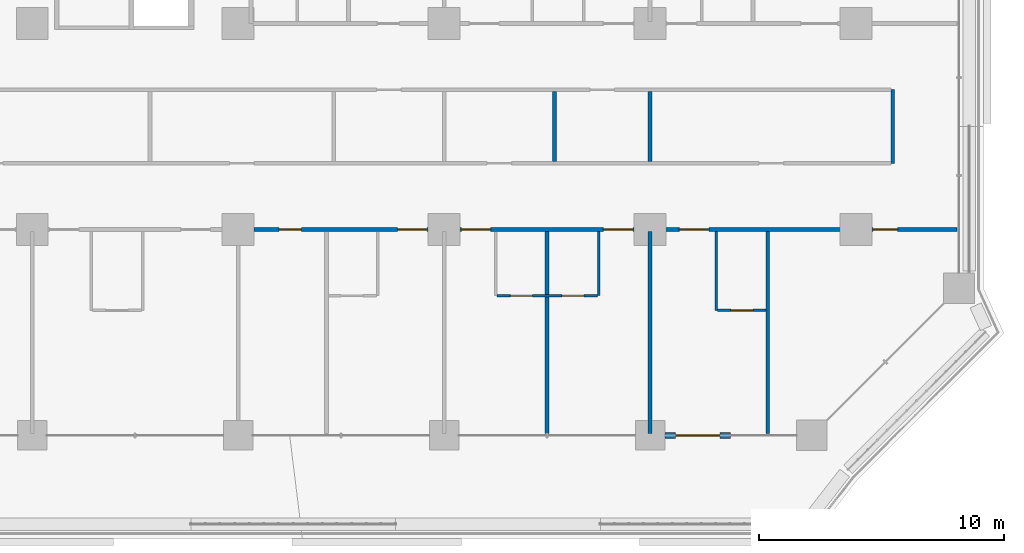
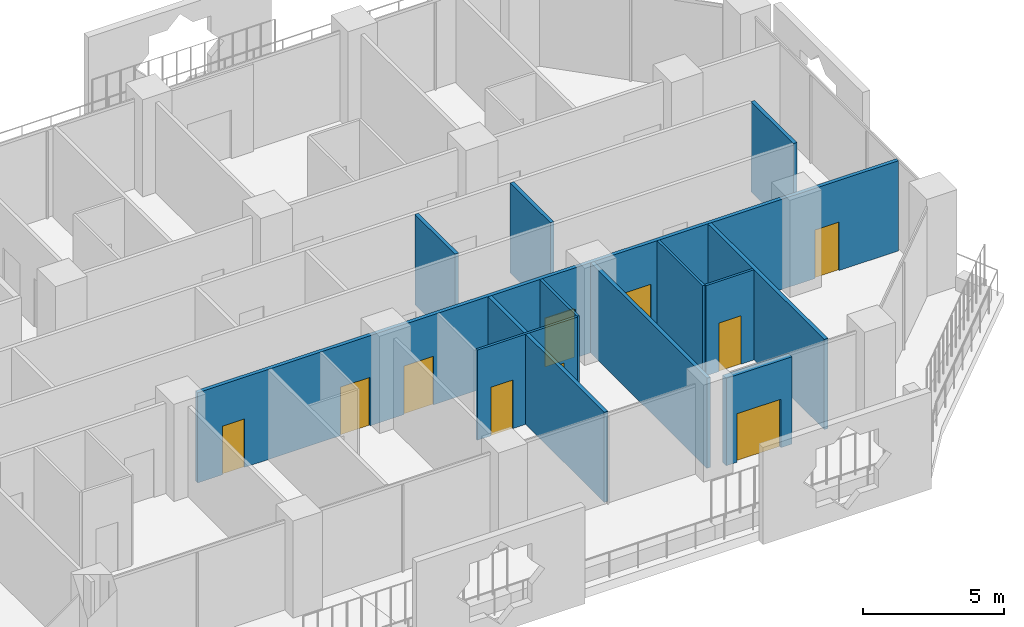
# One storey, part 17 of 29: 12 walls, 10 doors, 10 openings.
"""IFC4 building model written with IfcOpenShell, lengths in metres."""

from ifc_helpers import new_model, si_unit, direction, frame, frame_2d, origin, place, context, subcontext, project, spatial, rectangle, extrude, material, layer, layer_set, type_object, element, fill, save


model = new_model("IFC4")

# Units and contexts
model_context = context("Model", 3, precision=1e-05, world=origin(), true_north=direction((0.0, 1.0)))
body_context = subcontext(model_context, "Body", "Model", "MODEL_VIEW")
ifc_project = project(units=[si_unit("LENGTHUNIT", "METRE"), si_unit("AREAUNIT", "SQUARE_METRE"), si_unit("VOLUMEUNIT", "CUBIC_METRE"), si_unit("PLANEANGLEUNIT", "RADIAN"), si_unit("MASSUNIT", "GRAM", prefix="KILO")], contexts=[model_context])

# Site, building, storey
site_placement = place(None, origin())
site = spatial("IfcSite", under=ifc_project, at=site_placement, CompositionType="ELEMENT")
building_placement = place(site_placement, origin())
building = spatial("IfcBuilding", under=site, at=building_placement, Name="Kawkab Arch Medical Tower", CompositionType="ELEMENT")
storey_placement = place(building_placement, frame((0.0, 0.0, 64.39990234375)))
storey = spatial("IfcBuildingStorey", under=building, at=storey_placement, Name="L14", CompositionType="ELEMENT", Elevation=64.39990234375)

# Wall, opening, door
ifc_material_1 = material(Name="Bronze clad insulated wall panel")
ifc_layer_1 = layer(ifc_material_1, 0.25)
ifc_layer_set_1 = layer_set([ifc_layer_1], Name="Bronze clad insulated wall panel")
wall_type_1 = type_object("IfcWallType", Name="External wall bay 250", PredefinedType="SOLIDWALL", material=ifc_layer_set_1)
wall_1_placement = place(storey_placement, frame((67.800048828125, -25.199951171875, 0.0), z_axis=(0.0, 0.0, 1.0), x_axis=(1.0, 0.0, 0.0)))
wall_1 = element("IfcWall", 1, at=wall_1_placement, inside=storey, type_object=wall_type_1, Name="External wall bay L14.R07.5.1", PredefinedType="SOLIDWALL", context=body_context, shape_type="SweptSolid", body=[
    extrude(rectangle(XDim=2.6875, YDim=0.25, at=frame_2d((1.34375, 0.0))), origin(), (0.0, 0.0, 1.0), 3.780029296875),
])
opening_1_placement = place(wall_1_placement, frame((0.443603515625, 0.0, 0.0)))
opening_1 = element("IfcOpeningElement", 2, at=opening_1_placement, cuts=wall_1, Name="Opening W14-702", PredefinedType="OPENING", context=body_context, shape_type="SweptSolid", body=[
    extrude(rectangle(XDim=1.800048828125, YDim=2.10009765625, at=frame_2d((0.89990234375, 1.050048828125))), frame((0.0, 0.135009765625, 0.0), z_axis=(0.0, -1.0, 0.0), x_axis=(1.0, 0.0, 0.0)), (0.0, 0.0, 1.0), 0.27001953125),
])
ifc_material_2 = material(Name="Bronze anodised aluminium door with tinted glass", Category="aluminium")
door_type_1 = type_object("IfcDoorType", Name="Double external door 1800 x 2100", OperationType="DOUBLE_DOOR_SINGLE_SWING", PredefinedType="DOOR", material=ifc_material_2)
door_1_placement = place(opening_1_placement, origin())
door_1 = element("IfcDoor", 3, at=door_1_placement, inside=storey, type_object=door_type_1, Name="External door L14.R07.5.1", OperationType="DOUBLE_DOOR_SINGLE_SWING", OverallHeight=2.10009765625, OverallWidth=1.800048828125, PredefinedType="DOOR", context=body_context, shape_type="SweptSolid", body=[
    extrude(rectangle(XDim=1.800048828125, YDim=2.10009765625, at=frame_2d((0.89990234375, 1.050048828125))), frame((0.0, 0.02490234375, 0.0), z_axis=(0.0, -1.0, 0.0), x_axis=(1.0, 0.0, 0.0)), (0.0, 0.0, 1.0), 0.050048828125),
])
fill(opening_1, door_1)

ifc_material_3 = material(Name="Gypsum board partition on steel studs", Category="steel")
ifc_layer_2 = layer(ifc_material_3, 0.10009765625)
ifc_layer_set_2 = layer_set([ifc_layer_2], Name="Gypsum board partition on steel studs")
wall_type_2 = type_object("IfcWallType", Name="Partition 100", PredefinedType="PARTITIONING", material=ifc_layer_set_2)
wall_2_placement = place(storey_placement, frame((69.949951171875, -20.10009765625, 0.0), z_axis=(0.0, 0.0, 1.0), x_axis=(1.0, 0.0, 0.0)))
wall_2 = element("IfcWall", 4, at=wall_2_placement, inside=storey, type_object=wall_type_2, Name="Partition 100 w011", PredefinedType="PARTITIONING", context=body_context, shape_type="SweptSolid", body=[
    extrude(rectangle(XDim=1.97509765625, YDim=0.10009765625, at=frame_2d((0.987548828125, 0.0))), origin(), (0.0, 0.0, 1.0), 3.900146484375),
])
opening_2_placement = place(wall_2_placement, frame((0.550048828125, 0.0, 0.0)))
opening_2 = element("IfcOpeningElement", 5, at=opening_2_placement, cuts=wall_2, Name="Opening W14-018", PredefinedType="OPENING", context=body_context, shape_type="SweptSolid", body=[
    extrude(rectangle(XDim=0.89990234375, YDim=2.10009765625, at=frame_2d((0.449951171875, 1.050048828125))), frame((0.0, 0.06005859375, 0.0), z_axis=(0.0, -1.0, 0.0), x_axis=(1.0, 0.0, 0.0)), (0.0, 0.0, 1.0), 0.1201171875),
])
ifc_material_4 = material(Name="Timber door leaf", Category="wood")
door_type_2 = type_object("IfcDoorType", Name="Single door 900x2100", OperationType="NOTDEFINED", PredefinedType="DOOR", material=ifc_material_4)
door_2_placement = place(opening_2_placement, origin())
door_2 = element("IfcDoor", 6, at=door_2_placement, inside=storey, type_object=door_type_2, Name="Door W14-018", OperationType="SINGLE_SWING_RIGHT", OverallHeight=2.10009765625, OverallWidth=0.89990234375, PredefinedType="DOOR", context=body_context, shape_type="SweptSolid", body=[
    extrude(rectangle(XDim=0.89990234375, YDim=2.10009765625, at=frame_2d((0.449951171875, 1.050048828125))), frame((0.0, 0.02490234375, 0.0), z_axis=(0.0, -1.0, 0.0), x_axis=(1.0, 0.0, 0.0)), (0.0, 0.0, 1.0), 0.050048828125),
])
fill(opening_2, door_2)

# Wall, openings, doors
wall_3_placement = place(storey_placement, frame((60.949951171875, -19.5, 0.0), z_axis=(0.0, 0.0, 1.0), x_axis=(1.0, 0.0, 0.0)))
wall_3 = element("IfcWall", 7, at=wall_3_placement, inside=storey, type_object=wall_type_2, Name="Partition 100 w014", PredefinedType="PARTITIONING", context=body_context, shape_type="SweptSolid", body=[
    extrude(rectangle(XDim=4.10009765625, YDim=0.10009765625, at=frame_2d((2.050048828125, 0.0))), origin(), (0.0, 0.0, 1.0), 3.900146484375),
])
opening_3_placement = place(wall_3_placement, frame((0.550048828125, 0.0, 0.0)))
opening_3 = element("IfcOpeningElement", 8, at=opening_3_placement, cuts=wall_3, Name="Opening W14-016", PredefinedType="OPENING", context=body_context, shape_type="SweptSolid", body=[
    extrude(rectangle(XDim=0.89990234375, YDim=2.10009765625, at=frame_2d((0.449951171875, 1.050048828125))), frame((0.0, 0.06005859375, 0.0), z_axis=(0.0, -1.0, 0.0), x_axis=(1.0, 0.0, 0.0)), (0.0, 0.0, 1.0), 0.1201171875),
])
opening_4_placement = place(wall_3_placement, frame((2.64990234375, 0.0, 0.0)))
opening_4 = element("IfcOpeningElement", 9, at=opening_4_placement, cuts=wall_3, Name="Opening W14-017", PredefinedType="OPENING", context=body_context, shape_type="SweptSolid", body=[
    extrude(rectangle(XDim=0.89990234375, YDim=2.10009765625, at=frame_2d((0.449951171875, 1.050048828125))), frame((0.0, 0.06005859375, 0.0), z_axis=(0.0, -1.0, 0.0), x_axis=(1.0, 0.0, 0.0)), (0.0, 0.0, 1.0), 0.1201171875),
])
door_3_placement = place(opening_3_placement, origin())
door_3 = element("IfcDoor", 10, at=door_3_placement, inside=storey, type_object=door_type_2, Name="Door W14-016", OperationType="SINGLE_SWING_RIGHT", OverallHeight=2.10009765625, OverallWidth=0.89990234375, PredefinedType="DOOR", context=body_context, shape_type="SweptSolid", body=[
    extrude(rectangle(XDim=0.89990234375, YDim=2.10009765625, at=frame_2d((0.449951171875, 1.050048828125))), frame((0.0, 0.02490234375, 0.0), z_axis=(0.0, -1.0, 0.0), x_axis=(1.0, 0.0, 0.0)), (0.0, 0.0, 1.0), 0.050048828125),
])
fill(opening_3, door_3)
door_4_placement = place(opening_4_placement, origin())
door_4 = element("IfcDoor", 11, at=door_4_placement, inside=storey, type_object=door_type_2, Name="Door W14-017", OperationType="SINGLE_SWING_LEFT", OverallHeight=2.10009765625, OverallWidth=0.89990234375, PredefinedType="DOOR", context=body_context, shape_type="SweptSolid", body=[
    extrude(rectangle(XDim=0.89990234375, YDim=2.10009765625, at=frame_2d((0.449951171875, 1.050048828125))), frame((0.0, 0.02490234375, 0.0), z_axis=(0.0, -1.0, 0.0), x_axis=(1.0, 0.0, 0.0)), (0.0, 0.0, 1.0), 0.050048828125),
])
fill(opening_4, door_4)

# Walls
wall_4_placement = place(storey_placement, frame((65.10009765625, -19.5, 0.0), z_axis=(0.0, 0.0, 1.0), x_axis=(0.0, 1.0, 0.0)))
element("IfcWall", 12, at=wall_4_placement, inside=storey, type_object=wall_type_2, Name="Partition 100 w037", PredefinedType="PARTITIONING", context=body_context, shape_type="SweptSolid", body=[
    extrude(rectangle(XDim=2.625, YDim=0.10009765625, at=frame_2d((1.3125, 0.0))), origin(), (0.0, 0.0, 1.0), 3.900146484375),
])
wall_5_placement = place(storey_placement, frame((69.89990234375, -20.10009765625, 0.0), z_axis=(0.0, 0.0, 1.0), x_axis=(0.0, 1.0, 0.0)))
element("IfcWall", 13, at=wall_5_placement, inside=storey, type_object=wall_type_2, Name="Partition 100 w039", PredefinedType="PARTITIONING", context=body_context, shape_type="SweptSolid", body=[
    extrude(rectangle(XDim=3.22509765625, YDim=0.10009765625, at=frame_2d((1.612548828125, 0.0))), origin(), (0.0, 0.0, 1.0), 3.900146484375),
])

# Wall, openings, doors
ifc_material_5 = material(Name="Gypsum board partition on steel studs, mineral wool", Category="steel")
ifc_layer_3 = layer(ifc_material_5, 0.14990234375)
ifc_layer_set_3 = layer_set([ifc_layer_3], Name="Gypsum board partition on steel studs, mineral wool")
wall_type_3 = type_object("IfcWallType", Name="Partition 150", PredefinedType="PARTITIONING", material=ifc_layer_set_3)
wall_6_placement = place(storey_placement, frame((51.050048828125, -16.800048828125, 0.0), z_axis=(0.0, 0.0, 1.0), x_axis=(1.0, 0.0, 0.0)))
wall_6 = element("IfcWall", 14, at=wall_6_placement, inside=storey, type_object=wall_type_3, Name="Partition 150 w063", PredefinedType="PARTITIONING", context=body_context, shape_type="SweptSolid", body=[
    extrude(rectangle(XDim=28.669921875, YDim=0.14990234375, at=frame_2d((14.3349609375, 0.0))), origin(), (0.0, 0.0, 1.0), 3.900146484375),
])
opening_5_placement = place(wall_6_placement, frame((1.02490234375, 0.0, 0.0)))
opening_5 = element("IfcOpeningElement", 15, at=opening_5_placement, cuts=wall_6, Name="Opening W14-014", PredefinedType="OPENING", context=body_context, shape_type="SweptSolid", body=[
    extrude(rectangle(XDim=0.89990234375, YDim=2.10009765625, at=frame_2d((0.449951171875, 1.050048828125))), frame((0.0, 0.0849609375, 0.0), z_axis=(0.0, -1.0, 0.0), x_axis=(1.0, 0.0, 0.0)), (0.0, 0.0, 1.0), 0.169921875),
])
opening_6_placement = place(wall_6_placement, frame((5.85009765625, 0.0, 0.0)))
opening_6 = element("IfcOpeningElement", 16, at=opening_6_placement, cuts=wall_6, Name="Opening W14-061", PredefinedType="OPENING", context=body_context, shape_type="SweptSolid", body=[
    extrude(rectangle(XDim=1.199951171875, YDim=2.10009765625, at=frame_2d((0.60009765625, 1.050048828125))), frame((0.0, 0.0849609375, 0.0), z_axis=(0.0, -1.0, 0.0), x_axis=(1.0, 0.0, 0.0)), (0.0, 0.0, 1.0), 0.169921875),
])
opening_7_placement = place(wall_6_placement, frame((8.449951171875, 0.0, 0.0)))
opening_7 = element("IfcOpeningElement", 17, at=opening_7_placement, cuts=wall_6, Name="Opening W14-062", PredefinedType="OPENING", context=body_context, shape_type="SweptSolid", body=[
    extrude(rectangle(XDim=1.199951171875, YDim=2.10009765625, at=frame_2d((0.60009765625, 1.050048828125))), frame((0.0, 0.0849609375, 0.0), z_axis=(0.0, -1.0, 0.0), x_axis=(1.0, 0.0, 0.0)), (0.0, 0.0, 1.0), 0.169921875),
])
opening_8_placement = place(wall_6_placement, frame((14.25, 0.0, 0.0)))
opening_8 = element("IfcOpeningElement", 18, at=opening_8_placement, cuts=wall_6, Name="Opening W14-063", PredefinedType="OPENING", context=body_context, shape_type="SweptSolid", body=[
    extrude(rectangle(XDim=1.199951171875, YDim=2.10009765625, at=frame_2d((0.60009765625, 1.050048828125))), frame((0.0, 0.0849609375, 0.0), z_axis=(0.0, -1.0, 0.0), x_axis=(1.0, 0.0, 0.0)), (0.0, 0.0, 1.0), 0.169921875),
])
opening_9_placement = place(wall_6_placement, frame((17.35009765625, 0.0, 0.0)))
opening_9 = element("IfcOpeningElement", 19, at=opening_9_placement, cuts=wall_6, Name="Opening W14-064", PredefinedType="OPENING", context=body_context, shape_type="SweptSolid", body=[
    extrude(rectangle(XDim=1.199951171875, YDim=2.10009765625, at=frame_2d((0.60009765625, 1.050048828125))), frame((0.0, 0.0849609375, 0.0), z_axis=(0.0, -1.0, 0.0), x_axis=(1.0, 0.0, 0.0)), (0.0, 0.0, 1.0), 0.169921875),
])
opening_10_placement = place(wall_6_placement, frame((25.25, 0.0, 0.0)))
opening_10 = element("IfcOpeningElement", 20, at=opening_10_placement, cuts=wall_6, Name="Opening W14-039", PredefinedType="OPENING", context=body_context, shape_type="SweptSolid", body=[
    extrude(rectangle(XDim=1.0, YDim=2.10009765625, at=frame_2d((0.5, 1.050048828125))), frame((0.0, 0.0849609375, 0.0), z_axis=(0.0, -1.0, 0.0), x_axis=(1.0, 0.0, 0.0)), (0.0, 0.0, 1.0), 0.169921875),
])
ifc_material_6 = material(Name="Hollow metal door leaf")
door_type_3 = type_object("IfcDoorType", Name="Single door 1000x2100 FD30S", OperationType="NOTDEFINED", PredefinedType="DOOR", material=ifc_material_6)
door_5_placement = place(opening_10_placement, origin())
door_5 = element("IfcDoor", 21, at=door_5_placement, inside=storey, type_object=door_type_3, Name="Door W14-039", OperationType="SINGLE_SWING_LEFT", OverallHeight=2.10009765625, OverallWidth=1.0, PredefinedType="DOOR", context=body_context, shape_type="SweptSolid", body=[
    extrude(rectangle(XDim=1.0, YDim=2.10009765625, at=frame_2d((0.5, 1.050048828125))), frame((0.0, 0.02490234375, 0.0), z_axis=(0.0, -1.0, 0.0), x_axis=(1.0, 0.0, 0.0)), (0.0, 0.0, 1.0), 0.050048828125),
])
fill(opening_10, door_5)
ifc_material_7 = material(Name="Hollow metal door leaf")
door_type_4 = type_object("IfcDoorType", Name="Single door 1200x2100 FD30S", OperationType="NOTDEFINED", PredefinedType="DOOR", material=ifc_material_7)
door_6_placement = place(opening_6_placement, origin())
door_6 = element("IfcDoor", 22, at=door_6_placement, inside=storey, type_object=door_type_4, Name="Door W14-061", OperationType="SINGLE_SWING_RIGHT", OverallHeight=2.10009765625, OverallWidth=1.199951171875, PredefinedType="DOOR", context=body_context, shape_type="SweptSolid", body=[
    extrude(rectangle(XDim=1.199951171875, YDim=2.10009765625, at=frame_2d((0.60009765625, 1.050048828125))), frame((0.0, 0.02490234375, 0.0), z_axis=(0.0, -1.0, 0.0), x_axis=(1.0, 0.0, 0.0)), (0.0, 0.0, 1.0), 0.050048828125),
])
fill(opening_6, door_6)
door_7_placement = place(opening_7_placement, origin())
door_7 = element("IfcDoor", 23, at=door_7_placement, inside=storey, type_object=door_type_4, Name="Door W14-062", OperationType="SINGLE_SWING_RIGHT", OverallHeight=2.10009765625, OverallWidth=1.199951171875, PredefinedType="DOOR", context=body_context, shape_type="SweptSolid", body=[
    extrude(rectangle(XDim=1.199951171875, YDim=2.10009765625, at=frame_2d((0.60009765625, 1.050048828125))), frame((0.0, 0.02490234375, 0.0), z_axis=(0.0, -1.0, 0.0), x_axis=(1.0, 0.0, 0.0)), (0.0, 0.0, 1.0), 0.050048828125),
])
fill(opening_7, door_7)
door_8_placement = place(opening_8_placement, origin())
door_8 = element("IfcDoor", 24, at=door_8_placement, inside=storey, type_object=door_type_4, Name="Door W14-063", OperationType="SINGLE_SWING_LEFT", OverallHeight=2.10009765625, OverallWidth=1.199951171875, PredefinedType="DOOR", context=body_context, shape_type="SweptSolid", body=[
    extrude(rectangle(XDim=1.199951171875, YDim=2.10009765625, at=frame_2d((0.60009765625, 1.050048828125))), frame((0.0, 0.02490234375, 0.0), z_axis=(0.0, -1.0, 0.0), x_axis=(1.0, 0.0, 0.0)), (0.0, 0.0, 1.0), 0.050048828125),
])
fill(opening_8, door_8)
door_9_placement = place(opening_9_placement, origin())
door_9 = element("IfcDoor", 25, at=door_9_placement, inside=storey, type_object=door_type_4, Name="Door W14-064", OperationType="SINGLE_SWING_LEFT", OverallHeight=2.10009765625, OverallWidth=1.199951171875, PredefinedType="DOOR", context=body_context, shape_type="SweptSolid", body=[
    extrude(rectangle(XDim=1.199951171875, YDim=2.10009765625, at=frame_2d((0.60009765625, 1.050048828125))), frame((0.0, 0.02490234375, 0.0), z_axis=(0.0, -1.0, 0.0), x_axis=(1.0, 0.0, 0.0)), (0.0, 0.0, 1.0), 0.050048828125),
])
fill(opening_9, door_9)
door_10_placement = place(opening_5_placement, origin())
door_10 = element("IfcDoor", 26, at=door_10_placement, inside=storey, type_object=door_type_2, Name="Door W14-014", OperationType="SINGLE_SWING_RIGHT", OverallHeight=2.10009765625, OverallWidth=0.89990234375, PredefinedType="DOOR", context=body_context, shape_type="SweptSolid", body=[
    extrude(rectangle(XDim=0.89990234375, YDim=2.10009765625, at=frame_2d((0.449951171875, 1.050048828125))), frame((0.0, 0.02490234375, 0.0), z_axis=(0.0, -1.0, 0.0), x_axis=(1.0, 0.0, 0.0)), (0.0, 0.0, 1.0), 0.050048828125),
])
fill(opening_5, door_10)

# Walls
wall_7_placement = place(storey_placement, frame((63.0, -25.1201171875, 0.0), z_axis=(0.0, 0.0, 1.0), x_axis=(0.0, 1.0, 0.0)))
element("IfcWall", 27, at=wall_7_placement, inside=storey, type_object=wall_type_3, Name="Partition 150 w102", PredefinedType="PARTITIONING", context=body_context, shape_type="SweptSolid", body=[
    extrude(rectangle(XDim=8.2451171875, YDim=0.14990234375, at=frame_2d((4.12255859375, 0.0))), origin(), (0.0, 0.0, 1.0), 3.900146484375),
])
wall_8_placement = place(storey_placement, frame((63.300048828125, -14.02490234375, 0.0), z_axis=(0.0, 0.0, 1.0), x_axis=(0.0, 1.0, 0.0)))
element("IfcWall", 28, at=wall_8_placement, inside=storey, type_object=wall_type_3, Name="Partition 150 w103", PredefinedType="PARTITIONING", context=body_context, shape_type="SweptSolid", body=[
    extrude(rectangle(XDim=2.849853515625, YDim=0.14990234375, at=frame_2d((1.4248046875, 0.0))), origin(), (0.0, 0.0, 1.0), 3.900146484375),
])
wall_9_placement = place(storey_placement, frame((67.199951171875, -25.1201171875, 0.0), z_axis=(0.0, 0.0, 1.0), x_axis=(0.0, 1.0, 0.0)))
element("IfcWall", 29, at=wall_9_placement, inside=storey, type_object=wall_type_3, Name="Partition 150 w104", PredefinedType="PARTITIONING", context=body_context, shape_type="SweptSolid", body=[
    extrude(rectangle(XDim=8.2451171875, YDim=0.14990234375, at=frame_2d((4.12255859375, 0.0))), origin(), (0.0, 0.0, 1.0), 3.900146484375),
])
wall_10_placement = place(storey_placement, frame((67.199951171875, -14.02490234375, 0.0), z_axis=(0.0, 0.0, 1.0), x_axis=(0.0, 1.0, 0.0)))
element("IfcWall", 30, at=wall_10_placement, inside=storey, type_object=wall_type_3, Name="Partition 150 w105", PredefinedType="PARTITIONING", context=body_context, shape_type="SweptSolid", body=[
    extrude(rectangle(XDim=2.849853515625, YDim=0.14990234375, at=frame_2d((1.4248046875, 0.0))), origin(), (0.0, 0.0, 1.0), 3.900146484375),
])
wall_11_placement = place(storey_placement, frame((72.0, -25.1201171875, 0.0), z_axis=(0.0, 0.0, 1.0), x_axis=(0.0, 1.0, 0.0)))
element("IfcWall", 31, at=wall_11_placement, inside=storey, type_object=wall_type_3, Name="Partition 150 w108", PredefinedType="PARTITIONING", context=body_context, shape_type="SweptSolid", body=[
    extrude(rectangle(XDim=8.2451171875, YDim=0.14990234375, at=frame_2d((4.12255859375, 0.0))), origin(), (0.0, 0.0, 1.0), 3.900146484375),
])
wall_12_placement = place(storey_placement, frame((77.10009765625, -14.10009765625, 0.0), z_axis=(0.0, 0.0, 1.0), x_axis=(0.0, 1.0, 0.0)))
element("IfcWall", 32, at=wall_12_placement, inside=storey, type_object=wall_type_3, Name="Partition 150 w109", PredefinedType="PARTITIONING", context=body_context, shape_type="SweptSolid", body=[
    extrude(rectangle(XDim=3.0, YDim=0.14990234375, at=frame_2d((1.5, 0.0))), origin(), (0.0, 0.0, 1.0), 3.900146484375),
])

save(model, "model.ifc")
